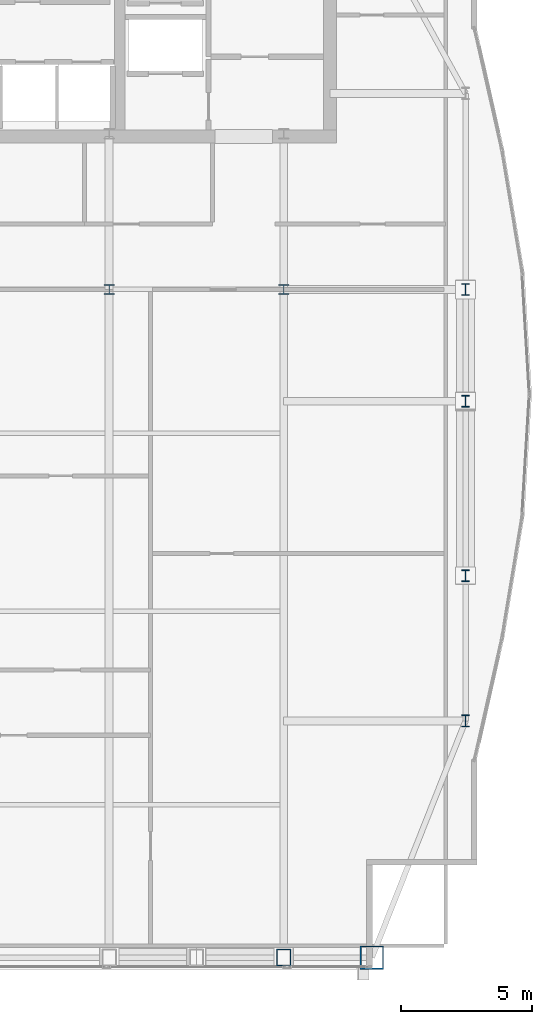
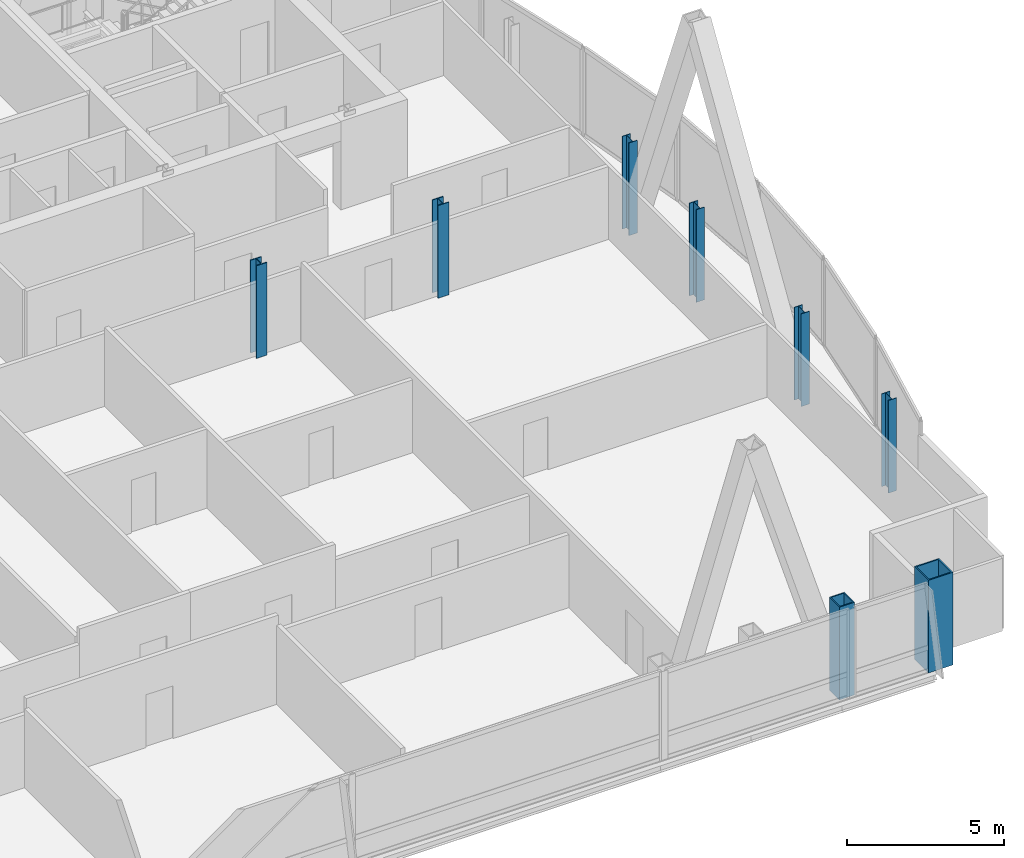
# One storey, part 2 of 31: 8 columns.
"""IFC4 building model written with IfcOpenShell, lengths in metres."""

from ifc_helpers import new_model, si_unit, direction, frame, origin, origin_2d, place, context, subcontext, project, spatial, hollow_rectangle, i_section, extrude, material, material_profile, profile_set, type_object, element, save


model = new_model("IFC4")

# Units and contexts
model_context = context("Model", 3, precision=1e-05, world=origin(), true_north=direction((0.0, 1.0)))
body_context = subcontext(model_context, "Body", "Model", "MODEL_VIEW")
ifc_project = project(units=[si_unit("LENGTHUNIT", "METRE"), si_unit("AREAUNIT", "SQUARE_METRE"), si_unit("VOLUMEUNIT", "CUBIC_METRE"), si_unit("PLANEANGLEUNIT", "RADIAN"), si_unit("MASSUNIT", "GRAM", prefix="KILO")], contexts=[model_context])

# Site, building, storey
site_placement = place(None, origin())
site = spatial("IfcSite", under=ifc_project, at=site_placement, CompositionType="ELEMENT")
building_placement = place(site_placement, origin())
building = spatial("IfcBuilding", under=site, at=building_placement, Name="Khoronbel Lancet Exchange", CompositionType="ELEMENT")
storey_placement = place(building_placement, frame((0.0, 0.0, 325.39990234375)))
storey = spatial("IfcBuildingStorey", under=building, at=storey_placement, Name="L84", CompositionType="ELEMENT", Elevation=325.39990234375)

# Columns
ifc_material_1 = material(Name="Steel S460", Category="steel")
ifc_material_profile_1 = material_profile(ifc_material_1, hollow_rectangle(XDim=0.550048828125, YDim=0.64990234375, WallThickness=0.0400390625, at=origin_2d()), Name="BOX 650x550x40")
ifc_profile_set_1 = profile_set([ifc_material_profile_1], Name="Steel S460")
column_type_1 = type_object("IfcColumnType", Name="COL-EC4", PredefinedType="COLUMN", material=ifc_profile_set_1)
column_1_placement = place(storey_placement, frame((54.675048828125, 10.14990234375, 0.0), z_axis=(0.0, 0.0, 1.0), x_axis=(1.0, 0.0, 0.0)))
element("IfcColumn", 1, at=column_1_placement, inside=storey, type_object=column_type_1, Name="Structural column SC-E2 L84", PredefinedType="COLUMN", context=body_context, shape_type="SweptSolid", body=[
    extrude(hollow_rectangle(XDim=0.550048828125, YDim=0.64990234375, WallThickness=0.0400390625, at=origin_2d()), origin(), (0.0, 0.0, 1.0), 3.60009765625),
])
ifc_material_2 = material(Name="Steel S355", Category="steel")
ifc_material_profile_2 = material_profile(ifc_material_2, i_section(OverallWidth=0.39892578125, OverallDepth=0.39306640625, WebThickness=0.022705078125, FlangeThickness=0.03662109375, at=origin_2d()), Name="HD 400x287")
ifc_profile_set_2 = profile_set([ifc_material_profile_2], Name="Steel S355")
column_type_2 = type_object("IfcColumnType", Name="COL-IC4", PredefinedType="COLUMN", material=ifc_profile_set_2)
for number, where, z_axis, x_axis, name in (
    (2, (48.0, 35.699951171875, 0.0), (0.0, 0.0, 1.0), (1.0, 0.0, 0.0), "Spine gravity column TC3 L84"),
    (3, (54.675048828125, 35.699951171875, 0.0), (0.0, 0.0, 1.0), (1.0, 0.0, 0.0), "Spine gravity column TC4 L84"),
):
    element("IfcColumn", number, at=place(storey_placement, frame(where, z_axis=z_axis, x_axis=x_axis)), inside=storey, type_object=column_type_2, Name=name, PredefinedType="COLUMN", context=body_context, shape_type="SweptSolid", body=[
        extrude(i_section(OverallWidth=0.39892578125, OverallDepth=0.39306640625, WebThickness=0.022705078125, FlangeThickness=0.03662109375, at=origin_2d()), origin(), (0.0, 0.0, 1.0), 3.60009765625),
    ])
ifc_material_profile_3 = material_profile(ifc_material_2, i_section(OverallWidth=0.300048828125, OverallDepth=0.449951171875, WebThickness=0.013916015625, FlangeThickness=0.02587890625, at=origin_2d()), Name="HEB 450")
ifc_profile_set_3 = profile_set([ifc_material_profile_3], Name="Steel S355")
column_type_3 = type_object("IfcColumnType", Name="COL-LC2", PredefinedType="COLUMN", material=ifc_profile_set_3)
for number, where, z_axis, x_axis, name in (
    (4, (61.6298828125, 19.199951171875, 0.0), (0.0, 0.0, 1.0), (1.0, 0.0, 0.0), "Structural column EC-1 L84"),
    (5, (61.6298828125, 24.75, 0.0), (0.0, 0.0, 1.0), (1.0, 0.0, 0.0), "Structural column EC-2 L84"),
    (6, (61.6298828125, 31.425048828125, 0.0), (0.0, 0.0, 1.0), (1.0, 0.0, 0.0), "Structural column EC-M L84"),
    (7, (61.6298828125, 35.699951171875, 0.0), (0.0, 0.0, 1.0), (1.0, 0.0, 0.0), "Structural column EC-3 L84"),
):
    element("IfcColumn", number, at=place(storey_placement, frame(where, z_axis=z_axis, x_axis=x_axis)), inside=storey, type_object=column_type_3, Name=name, PredefinedType="COLUMN", context=body_context, shape_type="SweptSolid", body=[
        extrude(i_section(OverallWidth=0.300048828125, OverallDepth=0.449951171875, WebThickness=0.013916015625, FlangeThickness=0.02587890625, at=origin_2d()), origin(), (0.0, 0.0, 1.0), 3.60009765625),
    ])
ifc_material_profile_4 = material_profile(ifc_material_1, hollow_rectangle(XDim=0.89990234375, YDim=0.89990234375, WallThickness=0.050048828125, at=origin_2d()), Name="BOX 900x900x50")
ifc_profile_set_4 = profile_set([ifc_material_profile_4], Name="Steel S460")
column_type_4 = type_object("IfcColumnType", Name="COL-MC7", PredefinedType="COLUMN", material=ifc_profile_set_4)
column_2_placement = place(storey_placement, frame((58.050048828125, 10.14990234375, 0.0), z_axis=(0.0, 0.0, 1.0), x_axis=(1.0, 0.0, 0.0)))
element("IfcColumn", 8, at=column_2_placement, inside=storey, type_object=column_type_4, Name="Structural column MC-SE L84", PredefinedType="COLUMN", context=body_context, shape_type="SweptSolid", body=[
    extrude(hollow_rectangle(XDim=0.89990234375, YDim=0.89990234375, WallThickness=0.050048828125, at=origin_2d()), origin(), (0.0, 0.0, 1.0), 3.60009765625),
])

save(model, "model.ifc")
